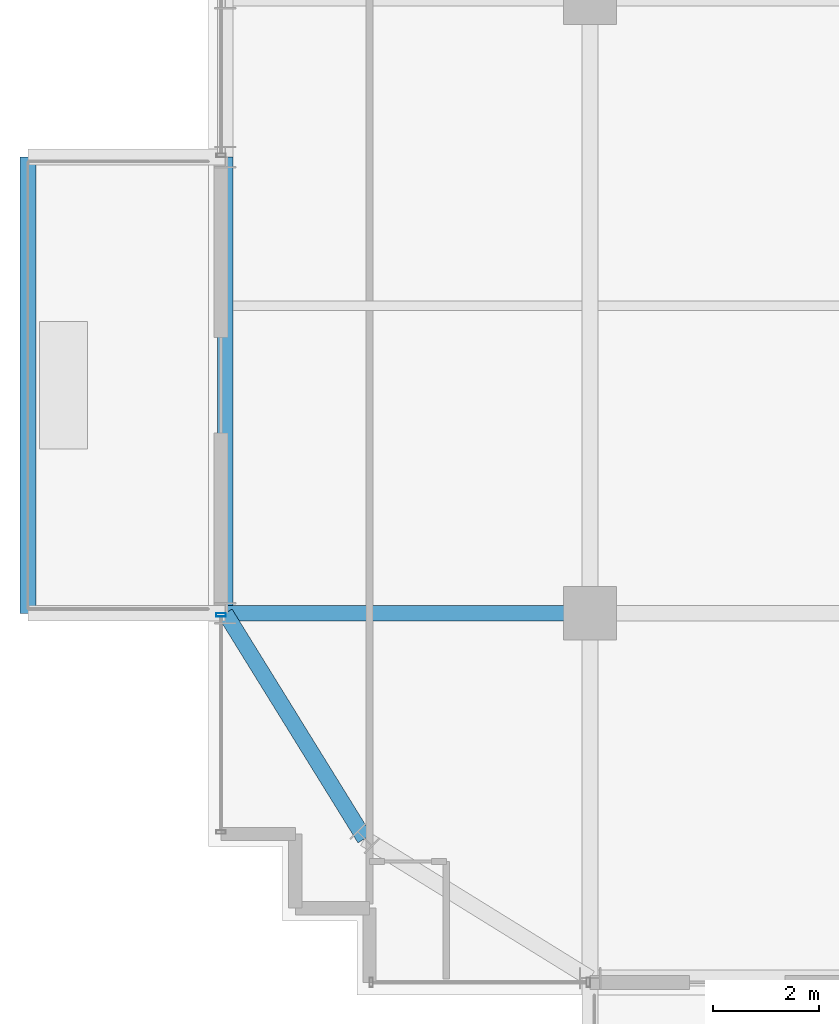
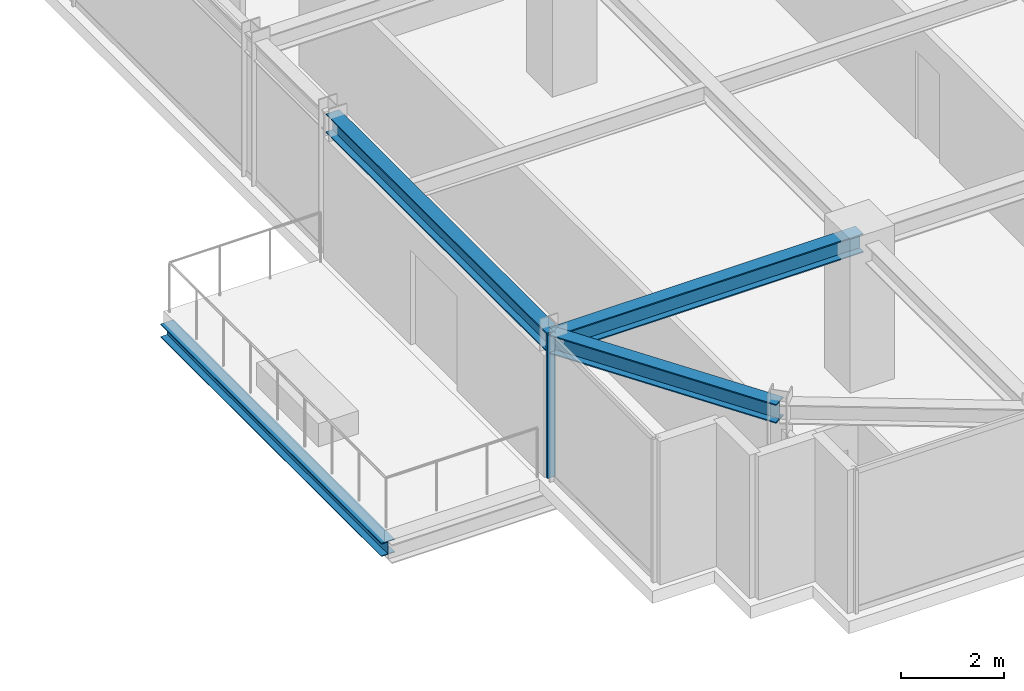
# One storey, part 5 of 35: 4 beams, 1 member, 1 element without a shape of its own.
"""IFC4 building model written with IfcOpenShell, lengths in metres."""

from ifc_helpers import new_model, si_unit, direction, frame, origin, origin_2d, place, context, subcontext, project, spatial, hollow_rectangle, i_section, extrude, source, transform, mapped, material, material_profile, profile_set, type_object, element, aggregate, save


model = new_model("IFC4")

# Units and contexts
model_context = context("Model", 3, precision=1e-05, world=origin(), true_north=direction((0.0, 1.0)))
body_context = subcontext(model_context, "Body", "Model", "MODEL_VIEW")
ifc_project = project(units=[si_unit("LENGTHUNIT", "METRE"), si_unit("AREAUNIT", "SQUARE_METRE"), si_unit("VOLUMEUNIT", "CUBIC_METRE"), si_unit("PLANEANGLEUNIT", "RADIAN"), si_unit("MASSUNIT", "GRAM", prefix="KILO")], contexts=[model_context])

# Site, building, storey
site_placement = place(None, origin())
site = spatial("IfcSite", under=ifc_project, at=site_placement, CompositionType="ELEMENT")
building_placement = place(site_placement, origin())
building = spatial("IfcBuilding", under=site, at=building_placement, Name="Nahalor Promenade Grand Hotel", CompositionType="ELEMENT")
storey_placement = place(building_placement, frame((0.0, 0.0, 216.0)))
storey = spatial("IfcBuildingStorey", under=building, at=storey_placement, Name="L55", CompositionType="ELEMENT", Elevation=216.0)

# Beams
ifc_material_1 = material(Name="Steel S355JR", Category="steel")
ifc_material_profile_1 = material_profile(ifc_material_1, i_section(OverallWidth=0.3, OverallDepth=0.32, WebThickness=0.0115, FlangeThickness=0.0205, at=origin_2d()), Name="HEB 320")
ifc_profile_set_1 = profile_set([ifc_material_profile_1], Name="Steel S355JR")
beam_type_1 = type_object("IfcBeamType", Name="Beam-BalcEdge-HEB320", PredefinedType="SPANDREL", material=ifc_profile_set_1)
shared_shape_1 = source(origin(), body_context, "Body", "SweptSolid", [
    extrude(i_section(OverallWidth=0.3, OverallDepth=0.32, WebThickness=0.0115, FlangeThickness=0.0205, at=origin_2d()), origin(), (0.0, 0.0, 1.0), 8.60009765625),
])
beam_1_placement = place(storey_placement, frame((-27.60009765625, -17.0, -0.43994140625), z_axis=(0.0, 1.0, 0.0), x_axis=(-1.0, 0.0, 0.0)))
element("IfcBeam", 1, at=beam_1_placement, inside=storey, type_object=beam_type_1, Name="BM-L55-BC-02-F", PredefinedType="SPANDREL", context=body_context, shape_type="MappedRepresentation", body=[
    mapped(shared_shape_1, transform((0.0, 0.0, 0.0), scale=1.0)),
])
ifc_material_profile_2 = material_profile(ifc_material_1, i_section(OverallWidth=0.3, OverallDepth=0.45, WebThickness=0.014, FlangeThickness=0.026, at=origin_2d()), Name="HEB 450")
ifc_profile_set_2 = profile_set([ifc_material_profile_2], Name="Steel S355JR")
beam_type_2 = type_object("IfcBeamType", Name="Beam-Spandrel-HEB450", PredefinedType="SPANDREL", material=ifc_profile_set_2)
shared_shape_2 = source(origin(), body_context, "Body", "SweptSolid", [
    extrude(i_section(OverallWidth=0.3, OverallDepth=0.45, WebThickness=0.014, FlangeThickness=0.026, at=origin_2d()), origin(), (0.0, 0.0, 1.0), 8.60009765625),
])
beam_2_placement = place(storey_placement, frame((-23.8798828125, -17.0, 3.18505859375), z_axis=(0.0, 1.0, 0.0), x_axis=(-1.0, 0.0, 0.0)))
element("IfcBeam", 2, at=beam_2_placement, inside=storey, type_object=beam_type_2, Name="BM-L55-SP-W-0", PredefinedType="SPANDREL", context=body_context, shape_type="MappedRepresentation", body=[
    mapped(shared_shape_2, transform((0.0, 0.0, 0.0), scale=1.0)),
])
shared_shape_3 = source(origin(), body_context, "Body", "SweptSolid", [
    extrude(i_section(OverallWidth=0.3, OverallDepth=0.45, WebThickness=0.014, FlangeThickness=0.026, at=origin_2d()), origin(), (0.0, 0.0, 1.0), 4.997802734375),
])
beam_3_placement = place(storey_placement, frame((-21.25, -21.25, 3.18505859375), z_axis=(-0.526199891161, 0.850360908404, 0.0), x_axis=(-0.850360908404, -0.526199891161, 0.0)))
element("IfcBeam", 3, at=beam_3_placement, inside=storey, type_object=beam_type_2, Name="BM-L55-SPC-SW-2", PredefinedType="SPANDREL", context=body_context, shape_type="MappedRepresentation", body=[
    mapped(shared_shape_3, transform((0.0, 0.0, 0.0), scale=1.0)),
])
ifc_material_profile_3 = material_profile(ifc_material_1, i_section(OverallWidth=0.3, OverallDepth=0.45, WebThickness=0.014, FlangeThickness=0.026, at=origin_2d()), Name="HEB 450")
ifc_profile_set_3 = profile_set([ifc_material_profile_3], Name="Steel S355JR")
beam_type_3 = type_object("IfcBeamType", Name="Beam-Girder-HEB450", PredefinedType="BEAM", material=ifc_profile_set_3)
shared_shape_4 = source(origin(), body_context, "Body", "SweptSolid", [
    extrude(i_section(OverallWidth=0.3, OverallDepth=0.45, WebThickness=0.014, FlangeThickness=0.026, at=origin_2d()), origin(), (0.0, 0.0, 1.0), 6.8798828125),
])
beam_4_placement = place(storey_placement, frame((-23.8798828125, -17.0, 3.18505859375), z_axis=(1.0, 0.0, 0.0), x_axis=(0.0, 1.0, 0.0)))
element("IfcBeam", 4, at=beam_4_placement, inside=storey, type_object=beam_type_3, Name="BM-L55-GX-0-0", PredefinedType="BEAM", context=body_context, shape_type="MappedRepresentation", body=[
    mapped(shared_shape_4, transform((0.0, 0.0, 0.0), scale=1.0)),
])

# Curtain wall, member
ifc_material_2 = material(Name="Anodised Bronze Aluminium EN AW-6063 T6", Category="aluminium")
curtain_wall_type = type_object("IfcCurtainWallType", Name="CW2 Typical Hotel Flush Bronze Unitised Curtain Wall", PredefinedType="USERDEFINED", material=ifc_material_2)
curtain_wall_placement = place(storey_placement, origin())
curtain_wall = element("IfcCurtainWall", 5, at=curtain_wall_placement, inside=storey, type_object=curtain_wall_type, Name="L55 Curtain Wall CW-L55-W-1", ObjectType="UNITISED_CURTAIN_WALL", PredefinedType="USERDEFINED")
ifc_material_profile_4 = material_profile(ifc_material_2, hollow_rectangle(XDim=0.065, YDim=0.18, WallThickness=0.004, at=origin_2d()), Name="CWM 65x180x4")
ifc_profile_set_4 = profile_set([ifc_material_profile_4], Name="Anodised Bronze Aluminium EN AW-6063 T6")
member_type = type_object("IfcMemberType", Name="CWM2 Typical Bronze Mullion 65x180", PredefinedType="MULLION", material=ifc_profile_set_4)
shared_shape_5 = source(origin(), body_context, "Body", "SweptSolid", [
    extrude(hollow_rectangle(XDim=0.065, YDim=0.18, WallThickness=0.004, at=origin_2d()), origin(), (0.0, 0.0, 1.0), 3.409912109375),
])
member_placement = place(storey_placement, frame((-23.9599609375, -17.032470703125, 0.0), z_axis=(0.0, 0.0, 1.0), x_axis=(0.0, 1.0, 0.0)))
member = element("IfcMember", 6, at=member_placement, type_object=member_type, Name="CW-L55-W-1 Mullion 1", PredefinedType="MULLION", context=body_context, shape_type="MappedRepresentation", body=[
    mapped(shared_shape_5, transform((0.0, 0.0, 0.0), scale=1.0)),
])
aggregate(curtain_wall, [member])

save(model, "model.ifc")
